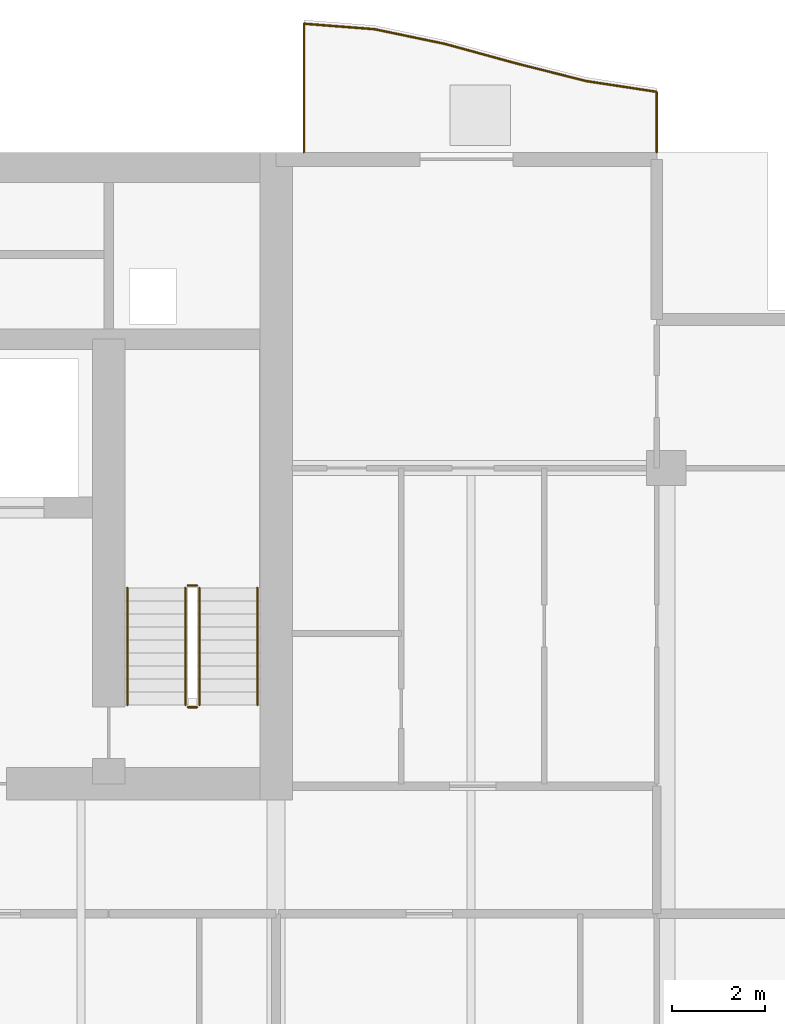
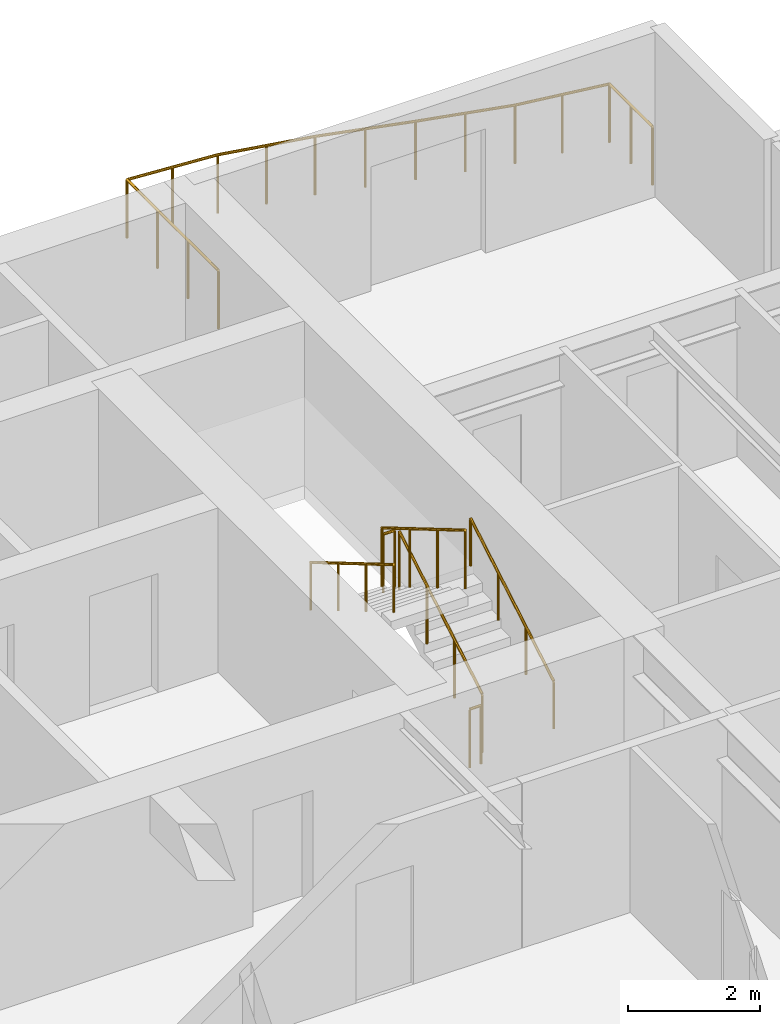
# One storey, part 16 of 17: 7 railings.
"""IFC4 building model written with IfcOpenShell, lengths in metres."""

from ifc_helpers import new_model, si_unit, direction, frame, origin, origin_2d, place, context, subcontext, project, spatial, circle, extrude, material, type_object, element, save


model = new_model("IFC4")

# Units and contexts
model_context = context("Model", 3, precision=1e-05, world=origin(), true_north=direction((0.0, 1.0)))
body_context = subcontext(model_context, "Body", "Model", "MODEL_VIEW")
ifc_project = project(units=[si_unit("LENGTHUNIT", "METRE"), si_unit("AREAUNIT", "SQUARE_METRE"), si_unit("VOLUMEUNIT", "CUBIC_METRE"), si_unit("PLANEANGLEUNIT", "RADIAN"), si_unit("MASSUNIT", "GRAM", prefix="KILO")], contexts=[model_context])

# Site, building, storey
site_placement = place(None, origin())
site = spatial("IfcSite", under=ifc_project, at=site_placement, CompositionType="ELEMENT")
building_placement = place(site_placement, origin())
building = spatial("IfcBuilding", under=site, at=building_placement, Name="Caelmar Bay Residences", CompositionType="ELEMENT")
storey_placement = place(building_placement, frame((0.0, 0.0, 157.199951171875)))
storey = spatial("IfcBuildingStorey", under=building, at=storey_placement, Name="L43", CompositionType="ELEMENT", Elevation=157.199951171875)

# Railings
ifc_material_1 = material(Name="Anodised bronze handrail with laminated hurricane glass infill", Category="glass")
railing_type_1 = type_object("IfcRailingType", Name="RL-BAL-1100", PredefinedType="BALUSTRADE", material=ifc_material_1)
railing_1_placement = place(storey_placement, frame((67.699951171875, 50.60009765625, 0.0)))
element("IfcRailing", 1, at=railing_1_placement, inside=storey, type_object=railing_type_1, Name="L43 north_east Balcony Balustrade", PredefinedType="BALUSTRADE", context=body_context, shape_type="SweptSolid", body=[
    extrude(circle(Radius=0.02392578125, at=origin_2d()), frame((0.0, 0.0, 1.076171875), z_axis=(0.0, 1.0, 0.0), x_axis=(-1.0, 0.0, 0.0)), (0.0, 0.0, 1.0), 1.30322265625),
    extrude(circle(Radius=0.02392578125, at=origin_2d()), frame((0.0, 1.30322265625, 1.076171875), z_axis=(-0.988581843738, 0.150684897158, 0.0), x_axis=(-0.150684897158, -0.988581843738, 0.0)), (0.0, 0.0, 1.0), 1.53759765625),
    extrude(circle(Radius=0.02392578125, at=origin_2d()), frame((-1.52001953125, 1.534912109375, 1.076171875), z_axis=(-0.969497919705, 0.245099538326, 0.0), x_axis=(-0.245099538326, -0.969497919705, 0.0)), (0.0, 0.0, 1.0), 1.56787109375),
    extrude(circle(Radius=0.02392578125, at=origin_2d()), frame((-3.0400390625, 1.919189453125, 1.076171875), z_axis=(-0.964527479323, 0.263982464627, 0.0), x_axis=(-0.263982464627, -0.964527479323, 0.0)), (0.0, 0.0, 1.0), 1.575927734375),
    extrude(circle(Radius=0.02392578125, at=origin_2d()), frame((-4.56005859375, 2.335205078125, 1.076171875), z_axis=(-0.978976494466, 0.20397309451, 0.0), x_axis=(-0.20397309451, -0.978976494466, 0.0)), (0.0, 0.0, 1.0), 1.552490234375),
    extrude(circle(Radius=0.02392578125, at=origin_2d()), frame((-6.079833984375, 2.65185546875, 1.076171875), z_axis=(-0.996991988413, 0.077504677544, 0.0), x_axis=(-0.077504677544, -0.996991988413, 0.0)), (0.0, 0.0, 1.0), 1.524658203125),
    extrude(circle(Radius=0.02392578125, at=origin_2d()), frame((-7.599853515625, 2.77001953125, 1.076171875), z_axis=(0.0, -1.0, 0.0), x_axis=(1.0, 0.0, 0.0)), (0.0, 0.0, 1.0), 2.77001953125),
    extrude(circle(Radius=0.02099609375, at=origin_2d()), origin(), (0.0, 0.0, 1.0), 1.052001953125),
    extrude(circle(Radius=0.02099609375, at=origin_2d()), frame((0.0, 0.651611328125, 0.0)), (0.0, 0.0, 1.0), 1.052001953125),
    extrude(circle(Radius=0.02099609375, at=origin_2d()), frame((0.0, 1.30322265625, 0.0)), (0.0, 0.0, 1.0), 1.052001953125),
    extrude(circle(Radius=0.02099609375, at=origin_2d()), frame((-0.760009765625, 1.4189453125, 0.0)), (0.0, 0.0, 1.0), 1.052001953125),
    extrude(circle(Radius=0.02099609375, at=origin_2d()), frame((-1.52001953125, 1.534912109375, 0.0)), (0.0, 0.0, 1.0), 1.052001953125),
    extrude(circle(Radius=0.02099609375, at=origin_2d()), frame((-2.280029296875, 1.72705078125, 0.0)), (0.0, 0.0, 1.0), 1.052001953125),
    extrude(circle(Radius=0.02099609375, at=origin_2d()), frame((-3.0400390625, 1.919189453125, 0.0)), (0.0, 0.0, 1.0), 1.052001953125),
    extrude(circle(Radius=0.02099609375, at=origin_2d()), frame((-3.800048828125, 2.127197265625, 0.0)), (0.0, 0.0, 1.0), 1.052001953125),
    extrude(circle(Radius=0.02099609375, at=origin_2d()), frame((-4.56005859375, 2.335205078125, 0.0)), (0.0, 0.0, 1.0), 1.052001953125),
    extrude(circle(Radius=0.02099609375, at=origin_2d()), frame((-5.31982421875, 2.49365234375, 0.0)), (0.0, 0.0, 1.0), 1.052001953125),
    extrude(circle(Radius=0.02099609375, at=origin_2d()), frame((-6.079833984375, 2.65185546875, 0.0)), (0.0, 0.0, 1.0), 1.052001953125),
    extrude(circle(Radius=0.02099609375, at=origin_2d()), frame((-6.83984375, 2.7109375, 0.0)), (0.0, 0.0, 1.0), 1.052001953125),
    extrude(circle(Radius=0.02099609375, at=origin_2d()), frame((-7.599853515625, 2.77001953125, 0.0)), (0.0, 0.0, 1.0), 1.052001953125),
    extrude(circle(Radius=0.02099609375, at=origin_2d()), frame((-7.599853515625, 1.8466796875, 0.0)), (0.0, 0.0, 1.0), 1.052001953125),
    extrude(circle(Radius=0.02099609375, at=origin_2d()), frame((-7.599853515625, 0.92333984375, 0.0)), (0.0, 0.0, 1.0), 1.052001953125),
    extrude(circle(Radius=0.02099609375, at=origin_2d()), frame((-7.599853515625, 0.0, 0.0)), (0.0, 0.0, 1.0), 1.052001953125),
])
ifc_material_2 = material(Name="Painted galvanized steel stair guard 1100 mm", Category="steel")
railing_type_2 = type_object("IfcRailingType", Name="RL-GRD-1100", PredefinedType="GUARDRAIL", material=ifc_material_2)
railing_2_placement = place(storey_placement, frame((57.85009765625, 38.699951171875, 0.1650390625)))
element("IfcRailing", 2, at=railing_2_placement, inside=storey, type_object=railing_type_2, Name="L43 ST2 stair guard 1", PredefinedType="GUARDRAIL", context=body_context, shape_type="SweptSolid", body=[
    extrude(circle(Radius=0.02392578125, at=origin_2d()), frame((0.0, 0.0, 1.076171875), z_axis=(0.0, 0.86152411907, 0.507716645641), x_axis=(-1.0, 0.0, 0.0)), (0.0, 0.0, 1.0), 2.925048828125),
    extrude(circle(Radius=0.02099609375, at=origin_2d()), origin(), (0.0, 0.0, 1.0), 1.052001953125),
    extrude(circle(Radius=0.02099609375, at=origin_2d()), frame((0.0, 0.840087890625, 0.4951171875)), (0.0, 0.0, 1.0), 1.052001953125),
    extrude(circle(Radius=0.02099609375, at=origin_2d()), frame((0.0, 1.679931640625, 0.989990234375)), (0.0, 0.0, 1.0), 1.052001953125),
    extrude(circle(Radius=0.02099609375, at=origin_2d()), frame((0.0, 2.52001953125, 1.485107421875)), (0.0, 0.0, 1.0), 1.052001953125),
])
railing_3_placement = place(storey_placement, frame((57.800048828125, 41.27001953125, 1.650146484375)))
element("IfcRailing", 3, at=railing_3_placement, inside=storey, type_object=railing_type_2, Name="L43 ST2 stair guard 2", PredefinedType="GUARDRAIL", context=body_context, shape_type="SweptSolid", body=[
    extrude(circle(Radius=0.02392578125, at=origin_2d()), frame((0.0, 0.0, 1.076171875), z_axis=(-1.0, 0.0, 0.0), x_axis=(0.0, -1.0, 0.0)), (0.0, 0.0, 1.0), 0.199951171875),
    extrude(circle(Radius=0.02099609375, at=origin_2d()), origin(), (0.0, 0.0, 1.0), 1.052001953125),
    extrude(circle(Radius=0.02099609375, at=origin_2d()), frame((-0.199951171875, 0.0, 0.0)), (0.0, 0.0, 1.0), 1.052001953125),
])
railing_4_placement = place(storey_placement, frame((57.550048828125, 41.219970703125, 1.81494140625)))
element("IfcRailing", 4, at=railing_4_placement, inside=storey, type_object=railing_type_2, Name="L43 ST2 stair guard 3", PredefinedType="GUARDRAIL", context=body_context, shape_type="SweptSolid", body=[
    extrude(circle(Radius=0.02392578125, at=origin_2d()), frame((0.0, 0.0, 1.076171875), z_axis=(0.0, -0.86152411907, 0.507716645641), x_axis=(1.0, 0.0, 0.0)), (0.0, 0.0, 1.0), 2.925048828125),
    extrude(circle(Radius=0.02099609375, at=origin_2d()), origin(), (0.0, 0.0, 1.0), 1.052001953125),
    extrude(circle(Radius=0.02099609375, at=origin_2d()), frame((0.0, -0.840087890625, 0.4951171875)), (0.0, 0.0, 1.0), 1.052001953125),
    extrude(circle(Radius=0.02099609375, at=origin_2d()), frame((0.0, -1.679931640625, 0.989990234375)), (0.0, 0.0, 1.0), 1.052001953125),
    extrude(circle(Radius=0.02099609375, at=origin_2d()), frame((0.0, -2.52001953125, 1.485107421875)), (0.0, 0.0, 1.0), 1.052001953125),
])
railing_5_placement = place(storey_placement, frame((57.800048828125, 38.64990234375, 0.0)))
element("IfcRailing", 5, at=railing_5_placement, inside=storey, type_object=railing_type_2, Name="L43 ST2 stair guard 4", PredefinedType="GUARDRAIL", context=body_context, shape_type="SweptSolid", body=[
    extrude(circle(Radius=0.02392578125, at=origin_2d()), frame((0.0, 0.0, 1.076171875), z_axis=(-1.0, 0.0, 0.0), x_axis=(0.0, -1.0, 0.0)), (0.0, 0.0, 1.0), 0.199951171875),
    extrude(circle(Radius=0.02099609375, at=origin_2d()), origin(), (0.0, 0.0, 1.0), 1.052001953125),
    extrude(circle(Radius=0.02099609375, at=origin_2d()), frame((-0.199951171875, 0.0, 0.0)), (0.0, 0.0, 1.0), 1.052001953125),
])
ifc_material_3 = material(Name="Brushed bronze stainless-steel tubular handrail 900 mm", Category="steel")
railing_type_3 = type_object("IfcRailingType", Name="RL-HND-900", PredefinedType="HANDRAIL", material=ifc_material_3)
railing_6_placement = place(storey_placement, frame((59.10009765625, 38.699951171875, 0.1650390625)))
element("IfcRailing", 6, at=railing_6_placement, inside=storey, type_object=railing_type_3, Name="L43 ST2 stair handrail 1", PredefinedType="HANDRAIL", context=body_context, shape_type="SweptSolid", body=[
    extrude(circle(Radius=0.02392578125, at=origin_2d()), frame((0.0, 0.0, 0.8759765625), z_axis=(0.0, 0.86152411907, 0.507716645641), x_axis=(-1.0, 0.0, 0.0)), (0.0, 0.0, 1.0), 2.925048828125),
    extrude(circle(Radius=0.02099609375, at=origin_2d()), origin(), (0.0, 0.0, 1.0), 0.851806640625),
    extrude(circle(Radius=0.02099609375, at=origin_2d()), frame((0.0, 0.840087890625, 0.4951171875)), (0.0, 0.0, 1.0), 0.851806640625),
    extrude(circle(Radius=0.02099609375, at=origin_2d()), frame((0.0, 1.679931640625, 0.989990234375)), (0.0, 0.0, 1.0), 0.851806640625),
    extrude(circle(Radius=0.02099609375, at=origin_2d()), frame((0.0, 2.52001953125, 1.485107421875)), (0.0, 0.0, 1.0), 0.851806640625),
])
railing_7_placement = place(storey_placement, frame((56.300048828125, 41.219970703125, 1.81494140625)))
element("IfcRailing", 7, at=railing_7_placement, inside=storey, type_object=railing_type_3, Name="L43 ST2 stair handrail 2", PredefinedType="HANDRAIL", context=body_context, shape_type="SweptSolid", body=[
    extrude(circle(Radius=0.02392578125, at=origin_2d()), frame((0.0, 0.0, 0.8759765625), z_axis=(0.0, -0.86152411907, 0.507716645641), x_axis=(1.0, 0.0, 0.0)), (0.0, 0.0, 1.0), 2.925048828125),
    extrude(circle(Radius=0.02099609375, at=origin_2d()), origin(), (0.0, 0.0, 1.0), 0.851806640625),
    extrude(circle(Radius=0.02099609375, at=origin_2d()), frame((0.0, -0.840087890625, 0.4951171875)), (0.0, 0.0, 1.0), 0.851806640625),
    extrude(circle(Radius=0.02099609375, at=origin_2d()), frame((0.0, -1.679931640625, 0.989990234375)), (0.0, 0.0, 1.0), 0.851806640625),
    extrude(circle(Radius=0.02099609375, at=origin_2d()), frame((0.0, -2.52001953125, 1.485107421875)), (0.0, 0.0, 1.0), 0.851806640625),
])

save(model, "model.ifc")
